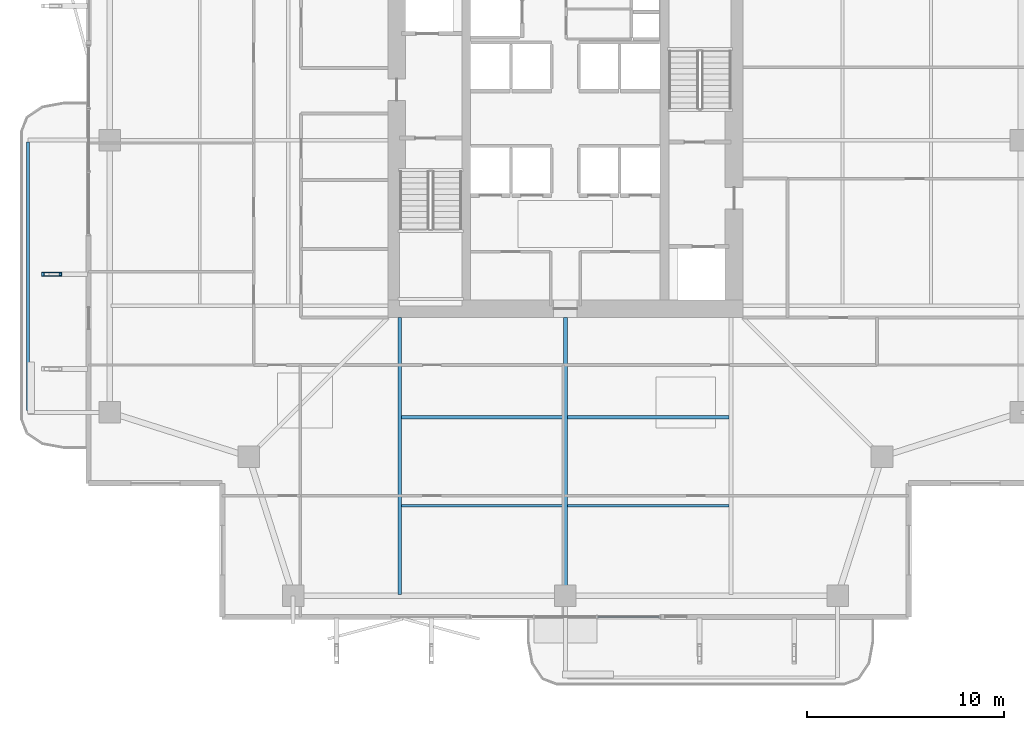
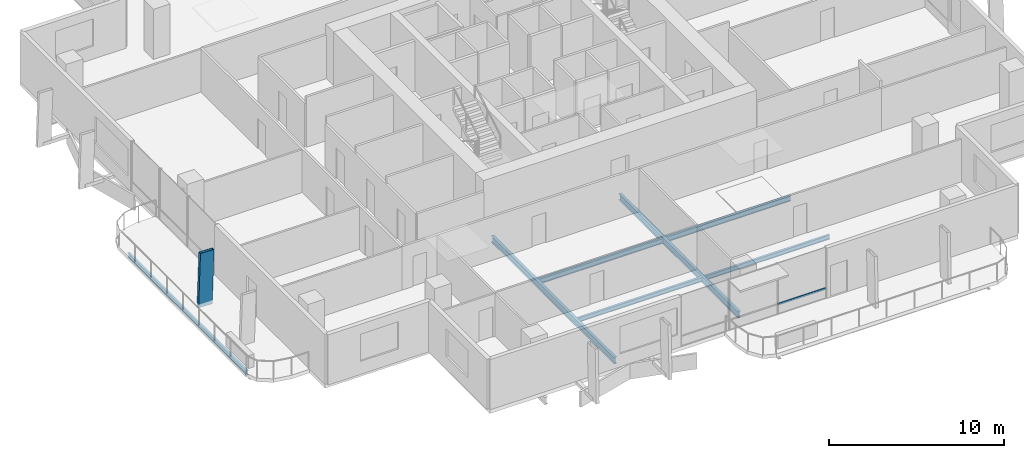
# One storey, part 3 of 25: 7 beams, 2 members, 1 element without a shape of its own.
"""IFC4 building model written with IfcOpenShell, lengths in metres."""

from ifc_helpers import new_model, si_unit, direction, frame, origin, origin_2d, place, context, subcontext, project, spatial, hollow_rectangle, i_section, extrude, material, layer, layer_set, material_profile, profile_set, type_object, element, aggregate, save


model = new_model("IFC4")

# Units and contexts
model_context = context("Model", 3, precision=1e-05, world=origin(), true_north=direction((0.0, 1.0)))
body_context = subcontext(model_context, "Body", "Model", "MODEL_VIEW")
ifc_project = project(units=[si_unit("LENGTHUNIT", "METRE"), si_unit("AREAUNIT", "SQUARE_METRE"), si_unit("VOLUMEUNIT", "CUBIC_METRE"), si_unit("PLANEANGLEUNIT", "RADIAN"), si_unit("MASSUNIT", "GRAM", prefix="KILO")], contexts=[model_context])

# Site, building, storey
site_placement = place(None, origin())
site = spatial("IfcSite", under=ifc_project, at=site_placement, CompositionType="ELEMENT")
building_placement = place(site_placement, origin())
building = spatial("IfcBuilding", under=site, at=building_placement, Name="Belovzor Exchange Tower", CompositionType="ELEMENT")
storey_placement = place(building_placement, frame((0.0, 0.0, 142.050048828125)))
storey = spatial("IfcBuildingStorey", under=building, at=storey_placement, Name="L34", CompositionType="ELEMENT", Elevation=142.050048828125)

# Beams
ifc_material_1 = material(Name="Steel S355", Category="steel")
ifc_material_profile_1 = material_profile(ifc_material_1, i_section(OverallWidth=0.14990234375, OverallDepth=0.300048828125, WebThickness=0.007080078125, FlangeThickness=0.0107421875, at=origin_2d()))
ifc_profile_set_1 = profile_set([ifc_material_profile_1], Name="Steel S355")
beam_type_1 = type_object("IfcBeamType", Name="Planted Balcony Fascia Edge Beam IPE 300", PredefinedType="BEAM", material=ifc_profile_set_1)
beam_1_placement = place(storey_placement, frame((1.547119140625, 28.699951171875, -0.405029296875), z_axis=(0.0, -1.0, 0.0), x_axis=(1.0, 0.0, 0.0)))
element("IfcBeam", 1, at=beam_1_placement, inside=storey, type_object=beam_type_1, Name="BC-300 Planted Balcony Fascia Edge Beam IPE 300", PredefinedType="BEAM", context=body_context, shape_type="SweptSolid", body=[
    extrude(i_section(OverallWidth=0.14990234375, OverallDepth=0.300048828125, WebThickness=0.007080078125, FlangeThickness=0.0107421875, at=origin_2d()), origin(), (0.0, 0.0, 1.0), 13.599853515625),
])
ifc_material_2 = material(Name="Steel S355", Category="steel")
ifc_material_profile_2 = material_profile(ifc_material_2, i_section(OverallWidth=0.169921875, OverallDepth=0.360107421875, WebThickness=0.008056640625, FlangeThickness=0.0126953125, at=origin_2d()))
ifc_profile_set_2 = profile_set([ifc_material_profile_2], Name="Steel S355")
beam_type_2 = type_object("IfcBeamType", Name="Secondary Infill Floor Joist IPE 360", PredefinedType="BEAM", material=ifc_profile_set_2)
for number, where, z_axis, x_axis, name in (
    (2, (20.4951171875, 14.7509765625, -0.43505859375), (1.0, 0.0, 0.0), (0.0, 1.0, 0.0), "FJ-360 Secondary Infill Floor Joist IPE 360"),
    (3, (28.89501953125, 14.7509765625, -0.43505859375), (1.0, 0.0, 0.0), (0.0, 1.0, 0.0), "FJ-360 Secondary Infill Floor Joist IPE 360"),
):
    element("IfcBeam", number, at=place(storey_placement, frame(where, z_axis=z_axis, x_axis=x_axis)), inside=storey, type_object=beam_type_2, Name=name, PredefinedType="BEAM", context=body_context, shape_type="SweptSolid", body=[
        extrude(i_section(OverallWidth=0.169921875, OverallDepth=0.360107421875, WebThickness=0.008056640625, FlangeThickness=0.0126953125, at=origin_2d()), origin(), (0.0, 0.0, 1.0), 8.2099609375),
    ])
ifc_material_3 = material(Name="Steel S355", Category="steel")
ifc_material_profile_3 = material_profile(ifc_material_3, i_section(OverallWidth=0.14990234375, OverallDepth=0.300048828125, WebThickness=0.007080078125, FlangeThickness=0.0107421875, at=origin_2d()))
ifc_profile_set_3 = profile_set([ifc_material_profile_3], Name="Steel S355")
beam_type_3 = type_object("IfcBeamType", Name="Secondary Trim Floor Joist IPE 300", PredefinedType="BEAM", material=ifc_profile_set_3)
for number, where, z_axis, x_axis, name in (
    (4, (20.4951171875, 10.262939453125, -0.405029296875), (1.0, 0.0, 0.0), (0.0, 1.0, 0.0), "FJ-300 Secondary Trim Floor Joist IPE 300"),
    (5, (28.89501953125, 10.262939453125, -0.405029296875), (1.0, 0.0, 0.0), (0.0, 1.0, 0.0), "FJ-300 Secondary Trim Floor Joist IPE 300"),
):
    element("IfcBeam", number, at=place(storey_placement, frame(where, z_axis=z_axis, x_axis=x_axis)), inside=storey, type_object=beam_type_3, Name=name, PredefinedType="BEAM", context=body_context, shape_type="SweptSolid", body=[
        extrude(i_section(OverallWidth=0.14990234375, OverallDepth=0.300048828125, WebThickness=0.007080078125, FlangeThickness=0.0107421875, at=origin_2d()), origin(), (0.0, 0.0, 1.0), 8.2099609375),
    ])

# Member
ifc_material_4 = material(Name="Extruded Architectural Terracotta on Steel S355 Carrier", Category="masonry")
ifc_material_profile_4 = material_profile(ifc_material_4, hollow_rectangle(XDim=0.199951171875, YDim=0.89990234375, WallThickness=0.011962890625, at=origin_2d()))
ifc_profile_set_4 = profile_set([ifc_material_profile_4], Name="Extruded Architectural Terracotta on Steel S355 Carrier")
member_type_1 = type_object("IfcMemberType", Name="Sweeping Terracotta Baguette Fin Assembly 1250", PredefinedType="USERDEFINED", material=ifc_profile_set_4)
member_1_placement = place(storey_placement, frame((2.693115234375, 22.0, -0.255126953125), z_axis=(0.032989845915, 0.0, 0.999455686895), x_axis=(0.0, 1.0, 0.0)))
element("IfcMember", 6, at=member_1_placement, inside=storey, type_object=member_type_1, Name="FIN-TC125 Terracotta Facade Fin L34 W2", ObjectType="FIN", PredefinedType="USERDEFINED", context=body_context, shape_type="SweptSolid", body=[
    extrude(hollow_rectangle(XDim=0.199951171875, YDim=0.89990234375, WallThickness=0.011962890625, at=origin_2d()), origin(), (0.0, 0.0, 1.0), 3.751953125),
])

# Curtain wall, member
ifc_material_5 = material(Name="Anodised Aluminium Framing", Category="aluminium")
ifc_layer = layer(ifc_material_5, 0.179931640625)
ifc_layer_set = layer_set([ifc_layer], Name="Anodised Aluminium Framing")
curtain_wall_type = type_object("IfcCurtainWallType", Name="Recessed Loggia Low-Iron Triple-Glazed Curtain Wall", PredefinedType="NOTDEFINED", material=ifc_layer_set)
curtain_wall_placement = place(storey_placement, origin())
curtain_wall = element("IfcCurtainWall", 7, at=curtain_wall_placement, inside=storey, type_object=curtain_wall_type, Name="CW3 Recessed Loggia Low-Iron Triple-Glazed Curtain Wall L34", PredefinedType="NOTDEFINED")
ifc_material_6 = material(Name="Steel S355", Category="steel")
ifc_material_profile_5 = material_profile(ifc_material_6, hollow_rectangle(XDim=0.06005859375, YDim=0.14990234375, WallThickness=0.00390625, at=origin_2d()))
ifc_profile_set_5 = profile_set([ifc_material_profile_5], Name="Steel S355")
member_type_2 = type_object("IfcMemberType", Name="Thermally Broken Curtain Wall Transom 150x60", PredefinedType="USERDEFINED", material=ifc_profile_set_5)
member_2_placement = place(storey_placement, frame((33.592041015625, 4.6298828125, 0.62890625), z_axis=(-1.0, 0.0, 0.0), x_axis=(0.0, -1.0, 0.0)))
member_2 = element("IfcMember", 8, at=member_2_placement, type_object=member_type_2, Name="CW-T150 Curtain Wall Transom 1", ObjectType="TRANSOM", PredefinedType="USERDEFINED", context=body_context, shape_type="SweptSolid", body=[
    extrude(hollow_rectangle(XDim=0.06005859375, YDim=0.14990234375, WallThickness=0.00390625, at=origin_2d()), origin(), (0.0, 0.0, 1.0), 3.18408203125),
])
aggregate(curtain_wall, [member_2])

# Beams
ifc_material_7 = material(Name="Steel S355", Category="steel")
ifc_material_profile_6 = material_profile(ifc_material_7, i_section(OverallWidth=0.18994140625, OverallDepth=0.449951171875, WebThickness=0.009521484375, FlangeThickness=0.0146484375, at=origin_2d()))
ifc_profile_set_6 = profile_set([ifc_material_profile_6], Name="Steel S355")
beam_type_4 = type_object("IfcBeamType", Name="Zone 2-4 Radial Composite Floor Beam IPE 450", PredefinedType="BEAM", material=ifc_profile_set_6)
beam_2_placement = place(storey_placement, frame((20.39990234375, 19.800048828125, -0.47998046875), z_axis=(0.0, -1.0, 0.0), x_axis=(1.0, 0.0, 0.0)))
element("IfcBeam", 9, at=beam_2_placement, inside=storey, type_object=beam_type_4, Name="FB-450 Zone 2-4 Radial Composite Floor Beam IPE 450", PredefinedType="BEAM", context=body_context, shape_type="SweptSolid", body=[
    extrude(i_section(OverallWidth=0.18994140625, OverallDepth=0.449951171875, WebThickness=0.009521484375, FlangeThickness=0.0146484375, at=origin_2d()), origin(), (0.0, 0.0, 1.0), 14.025146484375),
])
beam_3_placement = place(storey_placement, frame((28.800048828125, 19.800048828125, -0.47998046875), z_axis=(0.0, -1.0, 0.0), x_axis=(1.0, 0.0, 0.0)))
element("IfcBeam", 10, at=beam_3_placement, inside=storey, type_object=beam_type_4, Name="FB-450 Zone 2-4 Radial Composite Floor Beam IPE 450", PredefinedType="BEAM", context=body_context, shape_type="SweptSolid", body=[
    extrude(i_section(OverallWidth=0.18994140625, OverallDepth=0.449951171875, WebThickness=0.009521484375, FlangeThickness=0.0146484375, at=origin_2d()), origin(), (0.0, 0.0, 1.0), 13.615966796875),
])

save(model, "model.ifc")
